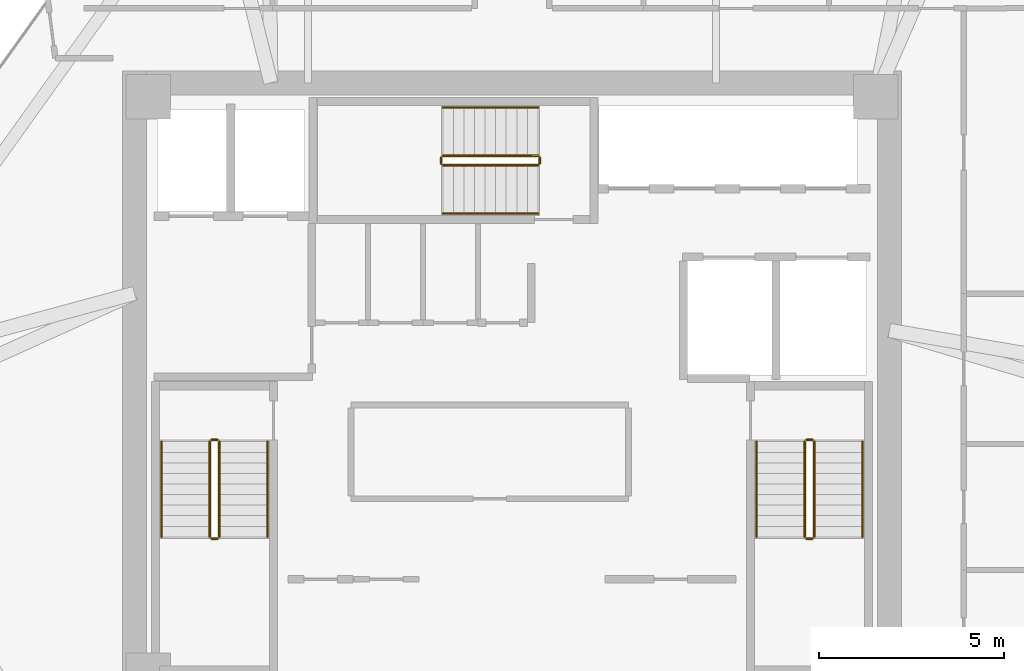
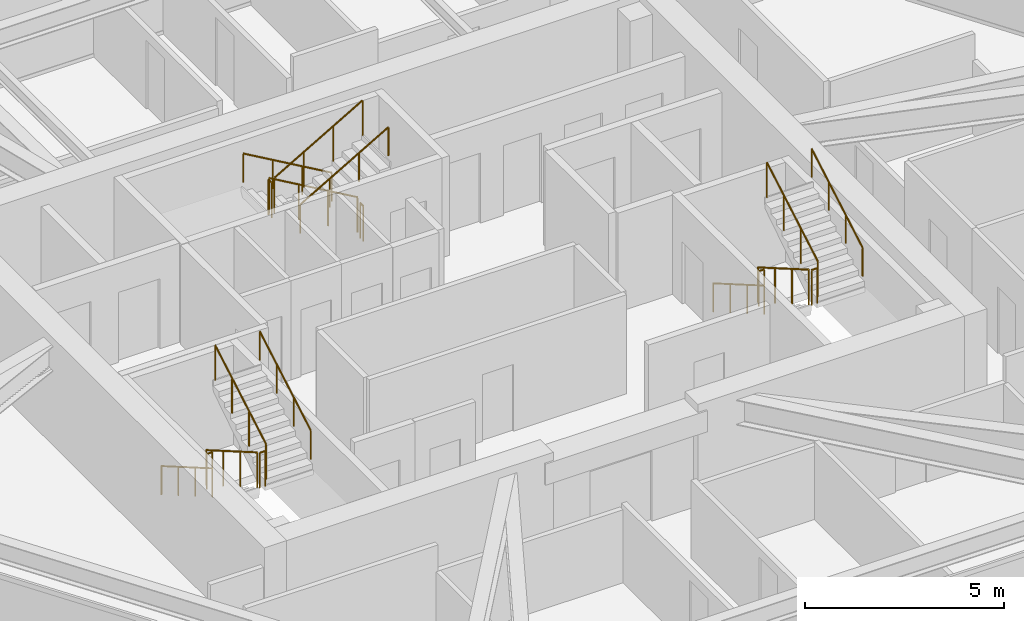
# One storey, part 14 of 14: 18 railings.
"""IFC4 building model written with IfcOpenShell, lengths in metres."""

from ifc_helpers import new_model, si_unit, direction, frame, origin, origin_2d, place, context, subcontext, project, spatial, circle, extrude, material, type_object, element, save


model = new_model("IFC4")

# Units and contexts
model_context = context("Model", 3, precision=1e-05, world=origin(), true_north=direction((0.0, 1.0)))
body_context = subcontext(model_context, "Body", "Model", "MODEL_VIEW")
ifc_project = project(units=[si_unit("LENGTHUNIT", "METRE"), si_unit("AREAUNIT", "SQUARE_METRE"), si_unit("VOLUMEUNIT", "CUBIC_METRE"), si_unit("PLANEANGLEUNIT", "RADIAN"), si_unit("MASSUNIT", "GRAM", prefix="KILO")], contexts=[model_context])

# Site, building, storey
site_placement = place(None, origin())
site = spatial("IfcSite", under=ifc_project, at=site_placement, CompositionType="ELEMENT")
building_placement = place(site_placement, origin())
building = spatial("IfcBuilding", under=site, at=building_placement, Name="Durnholm Broadcast Tower", CompositionType="ELEMENT")
storey_placement = place(building_placement, frame((0.0, 0.0, 180.39990234375)))
storey = spatial("IfcBuildingStorey", under=building, at=storey_placement, Name="L49", CompositionType="ELEMENT", Elevation=180.39990234375)

# Railings
ifc_material_1 = material(Name="Painted Tubular Steel Stair Guardrail", Category="steel")
railing_type_1 = type_object("IfcRailingType", Name="RAIL-ST-GRD", PredefinedType="GUARDRAIL", material=ifc_material_1)
railing_1_placement = place(storey_placement, frame((-8.14990234375, -1.5, 0.1650390625)))
element("IfcRailing", 1, at=railing_1_placement, inside=storey, type_object=railing_type_1, Name="L49 ST-1 stair guard 1", PredefinedType="GUARDRAIL", context=body_context, shape_type="SweptSolid", body=[
    extrude(circle(Radius=0.02392578125, at=origin_2d()), frame((0.0, 0.0, 1.076171875), z_axis=(0.0, -0.865405606168, 0.501071987656), x_axis=(1.0, 0.0, 0.0)), (0.0, 0.0, 1.0), 2.9638671875),
    extrude(circle(Radius=0.02099609375, at=origin_2d()), origin(), (0.0, 0.0, 1.0), 1.052001953125),
    extrude(circle(Radius=0.02099609375, at=origin_2d()), frame((0.0, -0.85498046875, 0.4951171875)), (0.0, 0.0, 1.0), 1.052001953125),
    extrude(circle(Radius=0.02099609375, at=origin_2d()), frame((0.0, -1.7099609375, 0.989990234375)), (0.0, 0.0, 1.0), 1.052001953125),
    extrude(circle(Radius=0.02099609375, at=origin_2d()), frame((0.0, -2.56494140625, 1.485107421875)), (0.0, 0.0, 1.0), 1.052001953125),
])
railing_2_placement = place(storey_placement, frame((-8.10009765625, -4.114990234375, 1.650146484375)))
element("IfcRailing", 2, at=railing_2_placement, inside=storey, type_object=railing_type_1, Name="L49 ST-1 stair guard 2", PredefinedType="GUARDRAIL", context=body_context, shape_type="SweptSolid", body=[
    extrude(circle(Radius=0.02392578125, at=origin_2d()), frame((0.0, 0.0, 1.076171875), z_axis=(1.0, 0.0, 0.0), x_axis=(0.0, 1.0, 0.0)), (0.0, 0.0, 1.0), 0.16015625),
    extrude(circle(Radius=0.02099609375, at=origin_2d()), origin(), (0.0, 0.0, 1.0), 1.052001953125),
    extrude(circle(Radius=0.02099609375, at=origin_2d()), frame((0.16015625, 0.0, 0.0)), (0.0, 0.0, 1.0), 1.052001953125),
])
railing_3_placement = place(storey_placement, frame((-7.889892578125, -4.06494140625, 1.815185546875)))
element("IfcRailing", 3, at=railing_3_placement, inside=storey, type_object=railing_type_1, Name="L49 ST-1 stair guard 3", PredefinedType="GUARDRAIL", context=body_context, shape_type="SweptSolid", body=[
    extrude(circle(Radius=0.02392578125, at=origin_2d()), frame((0.0, 0.0, 1.076171875), z_axis=(0.0, 0.865441324677, 0.50101029285), x_axis=(-1.0, 0.0, 0.0)), (0.0, 0.0, 1.0), 2.963623046875),
    extrude(circle(Radius=0.02099609375, at=origin_2d()), origin(), (0.0, 0.0, 1.0), 1.052001953125),
    extrude(circle(Radius=0.02099609375, at=origin_2d()), frame((0.0, 0.85498046875, 0.494873046875)), (0.0, 0.0, 1.0), 1.052001953125),
    extrude(circle(Radius=0.02099609375, at=origin_2d()), frame((0.0, 1.7099609375, 0.989990234375)), (0.0, 0.0, 1.0), 1.052001953125),
    extrude(circle(Radius=0.02099609375, at=origin_2d()), frame((0.0, 2.56494140625, 1.48486328125)), (0.0, 0.0, 1.0), 1.052001953125),
])
railing_4_placement = place(storey_placement, frame((-8.10009765625, -1.449951171875, 0.0)))
element("IfcRailing", 4, at=railing_4_placement, inside=storey, type_object=railing_type_1, Name="L49 ST-1 stair guard 4", PredefinedType="GUARDRAIL", context=body_context, shape_type="SweptSolid", body=[
    extrude(circle(Radius=0.02392578125, at=origin_2d()), frame((0.0, 0.0, 1.076171875), z_axis=(1.0, 0.0, 0.0), x_axis=(0.0, 1.0, 0.0)), (0.0, 0.0, 1.0), 0.16015625),
    extrude(circle(Radius=0.02099609375, at=origin_2d()), origin(), (0.0, 0.0, 1.0), 1.052001953125),
    extrude(circle(Radius=0.02099609375, at=origin_2d()), frame((0.16015625, 0.0, 0.0)), (0.0, 0.0, 1.0), 1.052001953125),
])
railing_5_placement = place(storey_placement, frame((7.889892578125, -1.5, 0.1650390625)))
element("IfcRailing", 5, at=railing_5_placement, inside=storey, type_object=railing_type_1, Name="L49 ST-2 stair guard 1", PredefinedType="GUARDRAIL", context=body_context, shape_type="SweptSolid", body=[
    extrude(circle(Radius=0.02392578125, at=origin_2d()), frame((0.0, 0.0, 1.076171875), z_axis=(0.0, -0.865405606168, 0.501071987656), x_axis=(1.0, 0.0, 0.0)), (0.0, 0.0, 1.0), 2.9638671875),
    extrude(circle(Radius=0.02099609375, at=origin_2d()), origin(), (0.0, 0.0, 1.0), 1.052001953125),
    extrude(circle(Radius=0.02099609375, at=origin_2d()), frame((0.0, -0.85498046875, 0.4951171875)), (0.0, 0.0, 1.0), 1.052001953125),
    extrude(circle(Radius=0.02099609375, at=origin_2d()), frame((0.0, -1.7099609375, 0.989990234375)), (0.0, 0.0, 1.0), 1.052001953125),
    extrude(circle(Radius=0.02099609375, at=origin_2d()), frame((0.0, -2.56494140625, 1.485107421875)), (0.0, 0.0, 1.0), 1.052001953125),
])
railing_6_placement = place(storey_placement, frame((7.93994140625, -4.114990234375, 1.650146484375)))
element("IfcRailing", 6, at=railing_6_placement, inside=storey, type_object=railing_type_1, Name="L49 ST-2 stair guard 2", PredefinedType="GUARDRAIL", context=body_context, shape_type="SweptSolid", body=[
    extrude(circle(Radius=0.02392578125, at=origin_2d()), frame((0.0, 0.0, 1.076171875), z_axis=(1.0, 0.0, 0.0), x_axis=(0.0, 1.0, 0.0)), (0.0, 0.0, 1.0), 0.16015625),
    extrude(circle(Radius=0.02099609375, at=origin_2d()), origin(), (0.0, 0.0, 1.0), 1.052001953125),
    extrude(circle(Radius=0.02099609375, at=origin_2d()), frame((0.16015625, 0.0, 0.0)), (0.0, 0.0, 1.0), 1.052001953125),
])
railing_7_placement = place(storey_placement, frame((8.14990234375, -4.06494140625, 1.815185546875)))
element("IfcRailing", 7, at=railing_7_placement, inside=storey, type_object=railing_type_1, Name="L49 ST-2 stair guard 3", PredefinedType="GUARDRAIL", context=body_context, shape_type="SweptSolid", body=[
    extrude(circle(Radius=0.02392578125, at=origin_2d()), frame((0.0, 0.0, 1.076171875), z_axis=(0.0, 0.865441324677, 0.50101029285), x_axis=(-1.0, 0.0, 0.0)), (0.0, 0.0, 1.0), 2.963623046875),
    extrude(circle(Radius=0.02099609375, at=origin_2d()), origin(), (0.0, 0.0, 1.0), 1.052001953125),
    extrude(circle(Radius=0.02099609375, at=origin_2d()), frame((0.0, 0.85498046875, 0.494873046875)), (0.0, 0.0, 1.0), 1.052001953125),
    extrude(circle(Radius=0.02099609375, at=origin_2d()), frame((0.0, 1.7099609375, 0.989990234375)), (0.0, 0.0, 1.0), 1.052001953125),
    extrude(circle(Radius=0.02099609375, at=origin_2d()), frame((0.0, 2.56494140625, 1.48486328125)), (0.0, 0.0, 1.0), 1.052001953125),
])
railing_8_placement = place(storey_placement, frame((7.93994140625, -1.449951171875, 0.0)))
element("IfcRailing", 8, at=railing_8_placement, inside=storey, type_object=railing_type_1, Name="L49 ST-2 stair guard 4", PredefinedType="GUARDRAIL", context=body_context, shape_type="SweptSolid", body=[
    extrude(circle(Radius=0.02392578125, at=origin_2d()), frame((0.0, 0.0, 1.076171875), z_axis=(1.0, 0.0, 0.0), x_axis=(0.0, 1.0, 0.0)), (0.0, 0.0, 1.0), 0.16015625),
    extrude(circle(Radius=0.02099609375, at=origin_2d()), origin(), (0.0, 0.0, 1.0), 1.052001953125),
    extrude(circle(Radius=0.02099609375, at=origin_2d()), frame((0.16015625, 0.0, 0.0)), (0.0, 0.0, 1.0), 1.052001953125),
])
railing_9_placement = place(storey_placement, frame((0.699951171875, 6.2099609375, 0.1650390625)))
element("IfcRailing", 9, at=railing_9_placement, inside=storey, type_object=railing_type_1, Name="L49 ST-3 stair guard 1", PredefinedType="GUARDRAIL", context=body_context, shape_type="SweptSolid", body=[
    extrude(circle(Radius=0.02392578125, at=origin_2d()), frame((0.0, 0.0, 1.076171875), z_axis=(-0.865405606168, 0.0, 0.501071987656), x_axis=(0.0, -1.0, 0.0)), (0.0, 0.0, 1.0), 2.9638671875),
    extrude(circle(Radius=0.02099609375, at=origin_2d()), origin(), (0.0, 0.0, 1.0), 1.052001953125),
    extrude(circle(Radius=0.02099609375, at=origin_2d()), frame((-0.85498046875, 0.0, 0.4951171875)), (0.0, 0.0, 1.0), 1.052001953125),
    extrude(circle(Radius=0.02099609375, at=origin_2d()), frame((-1.7099609375, 0.0, 0.989990234375)), (0.0, 0.0, 1.0), 1.052001953125),
    extrude(circle(Radius=0.02099609375, at=origin_2d()), frame((-2.56494140625, 0.0, 1.485107421875)), (0.0, 0.0, 1.0), 1.052001953125),
])
railing_10_placement = place(storey_placement, frame((-1.9150390625, 6.159912109375, 1.650146484375)))
element("IfcRailing", 10, at=railing_10_placement, inside=storey, type_object=railing_type_1, Name="L49 ST-3 stair guard 2", PredefinedType="GUARDRAIL", context=body_context, shape_type="SweptSolid", body=[
    extrude(circle(Radius=0.02392578125, at=origin_2d()), frame((0.0, 0.0, 1.076171875), z_axis=(0.0, -1.0, 0.0), x_axis=(1.0, 0.0, 0.0)), (0.0, 0.0, 1.0), 0.159912109375),
    extrude(circle(Radius=0.02099609375, at=origin_2d()), origin(), (0.0, 0.0, 1.0), 1.052001953125),
    extrude(circle(Radius=0.02099609375, at=origin_2d()), frame((0.0, -0.159912109375, 0.0)), (0.0, 0.0, 1.0), 1.052001953125),
])
railing_11_placement = place(storey_placement, frame((-1.864990234375, 5.949951171875, 1.815185546875)))
element("IfcRailing", 11, at=railing_11_placement, inside=storey, type_object=railing_type_1, Name="L49 ST-3 stair guard 3", PredefinedType="GUARDRAIL", context=body_context, shape_type="SweptSolid", body=[
    extrude(circle(Radius=0.02392578125, at=origin_2d()), frame((0.0, 0.0, 1.076171875), z_axis=(0.865441324677, 0.0, 0.50101029285), x_axis=(0.0, 1.0, 0.0)), (0.0, 0.0, 1.0), 2.963623046875),
    extrude(circle(Radius=0.02099609375, at=origin_2d()), origin(), (0.0, 0.0, 1.0), 1.052001953125),
    extrude(circle(Radius=0.02099609375, at=origin_2d()), frame((0.85498046875, 0.0, 0.494873046875)), (0.0, 0.0, 1.0), 1.052001953125),
    extrude(circle(Radius=0.02099609375, at=origin_2d()), frame((1.7099609375, 0.0, 0.989990234375)), (0.0, 0.0, 1.0), 1.052001953125),
    extrude(circle(Radius=0.02099609375, at=origin_2d()), frame((2.56494140625, 0.0, 1.48486328125)), (0.0, 0.0, 1.0), 1.052001953125),
])
railing_12_placement = place(storey_placement, frame((0.75, 6.159912109375, 0.0)))
element("IfcRailing", 12, at=railing_12_placement, inside=storey, type_object=railing_type_1, Name="L49 ST-3 stair guard 4", PredefinedType="GUARDRAIL", context=body_context, shape_type="SweptSolid", body=[
    extrude(circle(Radius=0.02392578125, at=origin_2d()), frame((0.0, 0.0, 1.076171875), z_axis=(0.0, -1.0, 0.0), x_axis=(1.0, 0.0, 0.0)), (0.0, 0.0, 1.0), 0.159912109375),
    extrude(circle(Radius=0.02099609375, at=origin_2d()), origin(), (0.0, 0.0, 1.0), 1.052001953125),
    extrude(circle(Radius=0.02099609375, at=origin_2d()), frame((0.0, -0.159912109375, 0.0)), (0.0, 0.0, 1.0), 1.052001953125),
])
ifc_material_2 = material(Name="Brushed Stainless Steel Handrail", Category="steel")
railing_type_2 = type_object("IfcRailingType", Name="RAIL-ST-HND", PredefinedType="HANDRAIL", material=ifc_material_2)
railing_13_placement = place(storey_placement, frame((-9.449951171875, -1.5, 0.330078125)))
element("IfcRailing", 13, at=railing_13_placement, inside=storey, type_object=railing_type_2, Name="L49 ST-1 stair handrail 1", PredefinedType="HANDRAIL", context=body_context, shape_type="SweptSolid", body=[
    extrude(circle(Radius=0.02392578125, at=origin_2d()), frame((0.0, 0.0, 0.8759765625), z_axis=(0.0, -0.865405606168, 0.501071987656), x_axis=(1.0, 0.0, 0.0)), (0.0, 0.0, 1.0), 2.9638671875),
    extrude(circle(Radius=0.02099609375, at=origin_2d()), origin(), (0.0, 0.0, 1.0), 0.851806640625),
    extrude(circle(Radius=0.02099609375, at=origin_2d()), frame((0.0, -0.85498046875, 0.4951171875)), (0.0, 0.0, 1.0), 0.851806640625),
    extrude(circle(Radius=0.02099609375, at=origin_2d()), frame((0.0, -1.7099609375, 0.989990234375)), (0.0, 0.0, 1.0), 0.851806640625),
    extrude(circle(Radius=0.02099609375, at=origin_2d()), frame((0.0, -2.56494140625, 1.485107421875)), (0.0, 0.0, 1.0), 0.851806640625),
])
railing_14_placement = place(storey_placement, frame((-6.590087890625, -4.06494140625, 1.97998046875)))
element("IfcRailing", 14, at=railing_14_placement, inside=storey, type_object=railing_type_2, Name="L49 ST-1 stair handrail 2", PredefinedType="HANDRAIL", context=body_context, shape_type="SweptSolid", body=[
    extrude(circle(Radius=0.02392578125, at=origin_2d()), frame((0.0, 0.0, 0.8759765625), z_axis=(0.0, 0.865405606168, 0.501071987656), x_axis=(-1.0, 0.0, 0.0)), (0.0, 0.0, 1.0), 2.9638671875),
    extrude(circle(Radius=0.02099609375, at=origin_2d()), origin(), (0.0, 0.0, 1.0), 0.851806640625),
    extrude(circle(Radius=0.02099609375, at=origin_2d()), frame((0.0, 0.85498046875, 0.4951171875)), (0.0, 0.0, 1.0), 0.851806640625),
    extrude(circle(Radius=0.02099609375, at=origin_2d()), frame((0.0, 1.7099609375, 0.989990234375)), (0.0, 0.0, 1.0), 0.851806640625),
    extrude(circle(Radius=0.02099609375, at=origin_2d()), frame((0.0, 2.56494140625, 1.485107421875)), (0.0, 0.0, 1.0), 0.851806640625),
])
railing_15_placement = place(storey_placement, frame((6.590087890625, -1.5, 0.330078125)))
element("IfcRailing", 15, at=railing_15_placement, inside=storey, type_object=railing_type_2, Name="L49 ST-2 stair handrail 1", PredefinedType="HANDRAIL", context=body_context, shape_type="SweptSolid", body=[
    extrude(circle(Radius=0.02392578125, at=origin_2d()), frame((0.0, 0.0, 0.8759765625), z_axis=(0.0, -0.865405606168, 0.501071987656), x_axis=(1.0, 0.0, 0.0)), (0.0, 0.0, 1.0), 2.9638671875),
    extrude(circle(Radius=0.02099609375, at=origin_2d()), origin(), (0.0, 0.0, 1.0), 0.851806640625),
    extrude(circle(Radius=0.02099609375, at=origin_2d()), frame((0.0, -0.85498046875, 0.4951171875)), (0.0, 0.0, 1.0), 0.851806640625),
    extrude(circle(Radius=0.02099609375, at=origin_2d()), frame((0.0, -1.7099609375, 0.989990234375)), (0.0, 0.0, 1.0), 0.851806640625),
    extrude(circle(Radius=0.02099609375, at=origin_2d()), frame((0.0, -2.56494140625, 1.485107421875)), (0.0, 0.0, 1.0), 0.851806640625),
])
railing_16_placement = place(storey_placement, frame((9.449951171875, -4.06494140625, 1.97998046875)))
element("IfcRailing", 16, at=railing_16_placement, inside=storey, type_object=railing_type_2, Name="L49 ST-2 stair handrail 2", PredefinedType="HANDRAIL", context=body_context, shape_type="SweptSolid", body=[
    extrude(circle(Radius=0.02392578125, at=origin_2d()), frame((0.0, 0.0, 0.8759765625), z_axis=(0.0, 0.865405606168, 0.501071987656), x_axis=(-1.0, 0.0, 0.0)), (0.0, 0.0, 1.0), 2.9638671875),
    extrude(circle(Radius=0.02099609375, at=origin_2d()), origin(), (0.0, 0.0, 1.0), 0.851806640625),
    extrude(circle(Radius=0.02099609375, at=origin_2d()), frame((0.0, 0.85498046875, 0.4951171875)), (0.0, 0.0, 1.0), 0.851806640625),
    extrude(circle(Radius=0.02099609375, at=origin_2d()), frame((0.0, 1.7099609375, 0.989990234375)), (0.0, 0.0, 1.0), 0.851806640625),
    extrude(circle(Radius=0.02099609375, at=origin_2d()), frame((0.0, 2.56494140625, 1.485107421875)), (0.0, 0.0, 1.0), 0.851806640625),
])
railing_17_placement = place(storey_placement, frame((0.699951171875, 7.510009765625, 0.330078125)))
element("IfcRailing", 17, at=railing_17_placement, inside=storey, type_object=railing_type_2, Name="L49 ST-3 stair handrail 1", PredefinedType="HANDRAIL", context=body_context, shape_type="SweptSolid", body=[
    extrude(circle(Radius=0.02392578125, at=origin_2d()), frame((0.0, 0.0, 0.8759765625), z_axis=(-0.865405606168, 0.0, 0.501071987656), x_axis=(0.0, -1.0, 0.0)), (0.0, 0.0, 1.0), 2.9638671875),
    extrude(circle(Radius=0.02099609375, at=origin_2d()), origin(), (0.0, 0.0, 1.0), 0.851806640625),
    extrude(circle(Radius=0.02099609375, at=origin_2d()), frame((-0.85498046875, 0.0, 0.4951171875)), (0.0, 0.0, 1.0), 0.851806640625),
    extrude(circle(Radius=0.02099609375, at=origin_2d()), frame((-1.7099609375, 0.0, 0.989990234375)), (0.0, 0.0, 1.0), 0.851806640625),
    extrude(circle(Radius=0.02099609375, at=origin_2d()), frame((-2.56494140625, 0.0, 1.485107421875)), (0.0, 0.0, 1.0), 0.851806640625),
])
railing_18_placement = place(storey_placement, frame((-1.864990234375, 4.64990234375, 1.97998046875)))
element("IfcRailing", 18, at=railing_18_placement, inside=storey, type_object=railing_type_2, Name="L49 ST-3 stair handrail 2", PredefinedType="HANDRAIL", context=body_context, shape_type="SweptSolid", body=[
    extrude(circle(Radius=0.02392578125, at=origin_2d()), frame((0.0, 0.0, 0.8759765625), z_axis=(0.865405606168, 0.0, 0.501071987656), x_axis=(0.0, 1.0, 0.0)), (0.0, 0.0, 1.0), 2.9638671875),
    extrude(circle(Radius=0.02099609375, at=origin_2d()), origin(), (0.0, 0.0, 1.0), 0.851806640625),
    extrude(circle(Radius=0.02099609375, at=origin_2d()), frame((0.85498046875, 0.0, 0.4951171875)), (0.0, 0.0, 1.0), 0.851806640625),
    extrude(circle(Radius=0.02099609375, at=origin_2d()), frame((1.7099609375, 0.0, 0.989990234375)), (0.0, 0.0, 1.0), 0.851806640625),
    extrude(circle(Radius=0.02099609375, at=origin_2d()), frame((2.56494140625, 0.0, 1.485107421875)), (0.0, 0.0, 1.0), 0.851806640625),
])

save(model, "model.ifc")
